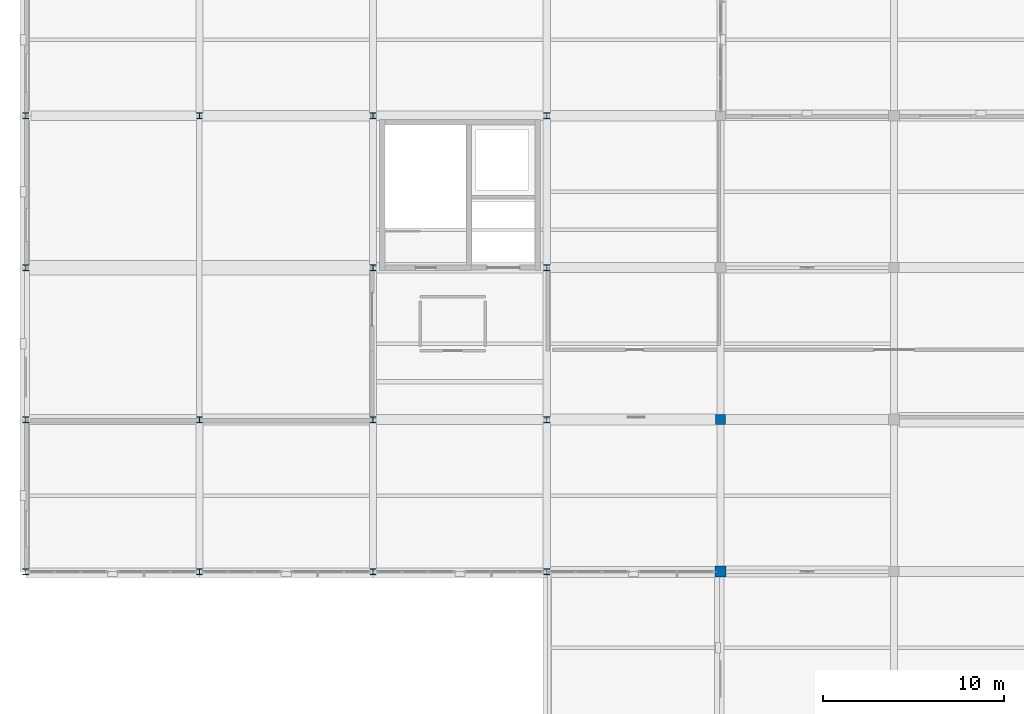
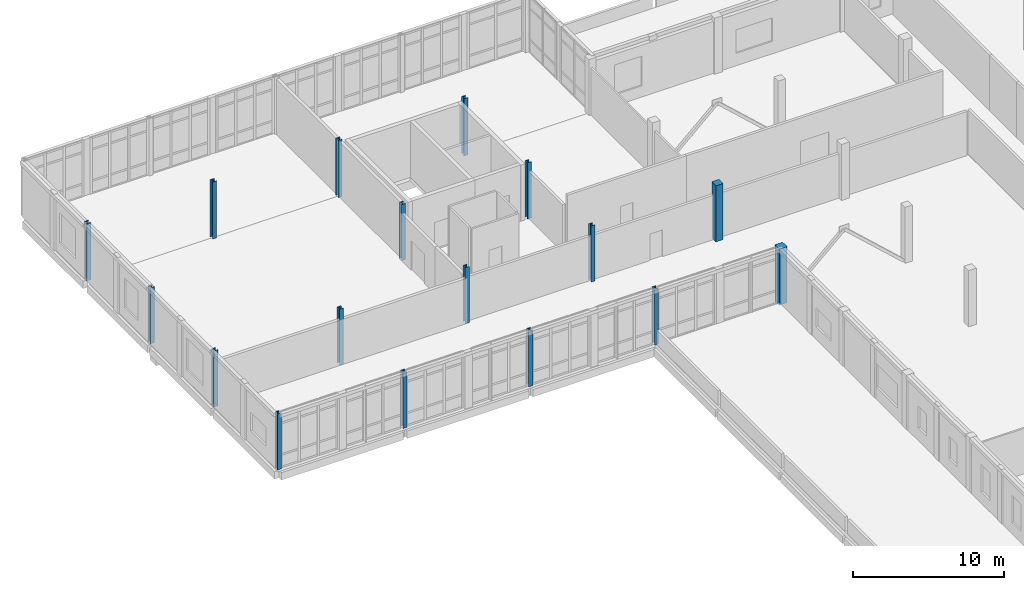
# One storey, part 3 of 88: 17 columns.
"""IFC4 building model written with IfcOpenShell, lengths in metres."""

from ifc_helpers import new_model, si_unit, direction, frame, origin, origin_2d, place, context, subcontext, project, spatial, rectangle, i_section, extrude, material, material_profile, profile_set, type_object, element, save


model = new_model("IFC4")

# Units and contexts
model_context = context("Model", 3, precision=1e-05, world=origin(), true_north=direction((0.0, 1.0)))
body_context = subcontext(model_context, "Body", "Model", "MODEL_VIEW")
ifc_project = project(units=[si_unit("LENGTHUNIT", "METRE"), si_unit("AREAUNIT", "SQUARE_METRE"), si_unit("VOLUMEUNIT", "CUBIC_METRE"), si_unit("PLANEANGLEUNIT", "RADIAN"), si_unit("MASSUNIT", "GRAM", prefix="KILO")], contexts=[model_context])

# Site, building, storey
site_placement = place(None, origin())
site = spatial("IfcSite", under=ifc_project, at=site_placement, CompositionType="ELEMENT")
building_placement = place(site_placement, origin())
building = spatial("IfcBuilding", under=site, at=building_placement, Name="Lornevale Opera House", CompositionType="ELEMENT")
storey_placement = place(building_placement, frame((0.0, 0.0, 10.199951171875)))
storey = spatial("IfcBuildingStorey", under=building, at=storey_placement, Name="L03", CompositionType="ELEMENT", Elevation=10.199951171875)

# Columns
ifc_material_1 = material(Name="Concrete 35 MPa (CSA A23.1 N)", Category="concrete")
ifc_material_profile_1 = material_profile(ifc_material_1, rectangle(XDim=0.550048828125, YDim=0.550048828125, at=origin_2d()), Name="RC550x550")
ifc_profile_set_1 = profile_set([ifc_material_profile_1], Name="Concrete 35 MPa (CSA A23.1 N)")
column_type_1 = type_object("IfcColumnType", Name="Concrete Column 550x550", PredefinedType="COLUMN", material=ifc_profile_set_1)
column_1_placement = place(storey_placement, frame((38.39990234375, 75.60009765625, 0.0), z_axis=(0.0, 0.0, 1.0), x_axis=(1.0, 0.0, 0.0)))
element("IfcColumn", 1, at=column_1_placement, inside=storey, type_object=column_type_1, Name="Concrete Column 550x550 0264", PredefinedType="COLUMN", context=body_context, shape_type="SweptSolid", body=[
    extrude(rectangle(XDim=0.550048828125, YDim=0.550048828125, at=origin_2d()), origin(), (0.0, 0.0, 1.0), 4.530029296875),
])
ifc_material_profile_2 = material_profile(ifc_material_1, rectangle(XDim=0.60009765625, YDim=0.60009765625, at=origin_2d()), Name="RC600x600")
ifc_profile_set_2 = profile_set([ifc_material_profile_2], Name="Concrete 35 MPa (CSA A23.1 N)")
column_type_2 = type_object("IfcColumnType", Name="Concrete Column 600x600", PredefinedType="COLUMN", material=ifc_profile_set_2)
column_2_placement = place(storey_placement, frame((38.39990234375, 67.199951171875, 0.0), z_axis=(0.0, 0.0, 1.0), x_axis=(1.0, 0.0, 0.0)))
element("IfcColumn", 2, at=column_2_placement, inside=storey, type_object=column_type_2, Name="Concrete Column 600x600 0259", PredefinedType="COLUMN", context=body_context, shape_type="SweptSolid", body=[
    extrude(rectangle(XDim=0.60009765625, YDim=0.60009765625, at=origin_2d()), origin(), (0.0, 0.0, 1.0), 4.530029296875),
])
ifc_material_2 = material(Name="Structural Steel CSA G40.21 Grade 350W (350 MPa)", Category="steel")
ifc_material_profile_3 = material_profile(ifc_material_2, i_section(OverallWidth=0.30908203125, OverallDepth=0.322998046875, WebThickness=0.013916015625, FlangeThickness=0.02294921875, at=origin_2d()), Name="W310x143")
ifc_profile_set_3 = profile_set([ifc_material_profile_3], Name="Structural Steel CSA G40.21 Grade 350W (350 MPa)")
column_type_3 = type_object("IfcColumnType", Name="Steel Clerestory Post W310x143", PredefinedType="COLUMN", material=ifc_profile_set_3)
for number, where, z_axis, x_axis, name in (
    (3, (0.0, 67.199951171875, 0.0), (0.0, 0.0, 1.0), (1.0, 0.0, 0.0), "Steel Clerestory Post W310x143 0033"),
    (4, (0.0, 75.60009765625, 0.0), (0.0, 0.0, 1.0), (1.0, 0.0, 0.0), "Steel Clerestory Post W310x143 0038"),
    (5, (0.0, 84.0, 0.0), (0.0, 0.0, 1.0), (1.0, 0.0, 0.0), "Steel Clerestory Post W310x143 0043"),
):
    element("IfcColumn", number, at=place(storey_placement, frame(where, z_axis=z_axis, x_axis=x_axis)), inside=storey, type_object=column_type_3, Name=name, PredefinedType="COLUMN", context=body_context, shape_type="SweptSolid", body=[
        extrude(i_section(OverallWidth=0.30908203125, OverallDepth=0.322998046875, WebThickness=0.013916015625, FlangeThickness=0.02294921875, at=origin_2d()), origin(), (0.0, 0.0, 1.0), 4.530029296875),
    ])
column_3_placement = place(storey_placement, frame((0.0, 92.39990234375, 0.0), z_axis=(0.0, 0.0, 1.0), x_axis=(1.0, 0.0, 0.0)))
element("IfcColumn", 6, at=column_3_placement, inside=storey, type_object=column_type_3, Name="Steel Clerestory Post W310x143 0048", PredefinedType="COLUMN", context=body_context, shape_type="SweptSolid", body=[
    extrude(i_section(OverallWidth=0.30908203125, OverallDepth=0.322998046875, WebThickness=0.013916015625, FlangeThickness=0.02294921875, at=origin_2d()), origin(), (0.0, 0.0, 1.0), 4.6201171875),
])
for number, where, z_axis, x_axis, name in (
    (7, (9.60009765625, 67.199951171875, 0.0), (0.0, 0.0, 1.0), (1.0, 0.0, 0.0), "Steel Clerestory Post W310x143 0083"),
    (8, (9.60009765625, 75.60009765625, 0.0), (0.0, 0.0, 1.0), (1.0, 0.0, 0.0), "Steel Clerestory Post W310x143 0088"),
):
    element("IfcColumn", number, at=place(storey_placement, frame(where, z_axis=z_axis, x_axis=x_axis)), inside=storey, type_object=column_type_3, Name=name, PredefinedType="COLUMN", context=body_context, shape_type="SweptSolid", body=[
        extrude(i_section(OverallWidth=0.30908203125, OverallDepth=0.322998046875, WebThickness=0.013916015625, FlangeThickness=0.02294921875, at=origin_2d()), origin(), (0.0, 0.0, 1.0), 4.530029296875),
    ])
column_4_placement = place(storey_placement, frame((9.60009765625, 92.39990234375, 0.0), z_axis=(0.0, 0.0, 1.0), x_axis=(1.0, 0.0, 0.0)))
element("IfcColumn", 9, at=column_4_placement, inside=storey, type_object=column_type_3, Name="Steel Clerestory Post W310x143 0095", PredefinedType="COLUMN", context=body_context, shape_type="SweptSolid", body=[
    extrude(i_section(OverallWidth=0.30908203125, OverallDepth=0.322998046875, WebThickness=0.013916015625, FlangeThickness=0.02294921875, at=origin_2d()), origin(), (0.0, 0.0, 1.0), 4.6201171875),
])
for number, where, z_axis, x_axis, name in (
    (10, (19.199951171875, 67.199951171875, 0.0), (0.0, 0.0, 1.0), (1.0, 0.0, 0.0), "Steel Clerestory Post W310x143 0133"),
    (11, (19.199951171875, 75.60009765625, 0.0), (0.0, 0.0, 1.0), (1.0, 0.0, 0.0), "Steel Clerestory Post W310x143 0138"),
    (12, (19.199951171875, 84.0, 0.0), (0.0, 0.0, 1.0), (1.0, 0.0, 0.0), "Steel Clerestory Post W310x143 0143"),
):
    element("IfcColumn", number, at=place(storey_placement, frame(where, z_axis=z_axis, x_axis=x_axis)), inside=storey, type_object=column_type_3, Name=name, PredefinedType="COLUMN", context=body_context, shape_type="SweptSolid", body=[
        extrude(i_section(OverallWidth=0.30908203125, OverallDepth=0.322998046875, WebThickness=0.013916015625, FlangeThickness=0.02294921875, at=origin_2d()), origin(), (0.0, 0.0, 1.0), 4.530029296875),
    ])
column_5_placement = place(storey_placement, frame((19.199951171875, 92.39990234375, 0.0), z_axis=(0.0, 0.0, 1.0), x_axis=(1.0, 0.0, 0.0)))
element("IfcColumn", 13, at=column_5_placement, inside=storey, type_object=column_type_3, Name="Steel Clerestory Post W310x143 0148", PredefinedType="COLUMN", context=body_context, shape_type="SweptSolid", body=[
    extrude(i_section(OverallWidth=0.30908203125, OverallDepth=0.322998046875, WebThickness=0.013916015625, FlangeThickness=0.02294921875, at=origin_2d()), origin(), (0.0, 0.0, 1.0), 4.6201171875),
])
for number, where, z_axis, x_axis, name in (
    (14, (28.800048828125, 67.199951171875, 0.0), (0.0, 0.0, 1.0), (1.0, 0.0, 0.0), "Steel Clerestory Post W310x143 0194"),
    (15, (28.800048828125, 75.60009765625, 0.0), (0.0, 0.0, 1.0), (1.0, 0.0, 0.0), "Steel Clerestory Post W310x143 0199"),
    (16, (28.800048828125, 84.0, 0.0), (0.0, 0.0, 1.0), (1.0, 0.0, 0.0), "Steel Clerestory Post W310x143 0204"),
):
    element("IfcColumn", number, at=place(storey_placement, frame(where, z_axis=z_axis, x_axis=x_axis)), inside=storey, type_object=column_type_3, Name=name, PredefinedType="COLUMN", context=body_context, shape_type="SweptSolid", body=[
        extrude(i_section(OverallWidth=0.30908203125, OverallDepth=0.322998046875, WebThickness=0.013916015625, FlangeThickness=0.02294921875, at=origin_2d()), origin(), (0.0, 0.0, 1.0), 4.530029296875),
    ])
column_6_placement = place(storey_placement, frame((28.800048828125, 92.39990234375, 0.0), z_axis=(0.0, 0.0, 1.0), x_axis=(1.0, 0.0, 0.0)))
element("IfcColumn", 17, at=column_6_placement, inside=storey, type_object=column_type_3, Name="Steel Clerestory Post W310x143 0209", PredefinedType="COLUMN", context=body_context, shape_type="SweptSolid", body=[
    extrude(i_section(OverallWidth=0.30908203125, OverallDepth=0.322998046875, WebThickness=0.013916015625, FlangeThickness=0.02294921875, at=origin_2d()), origin(), (0.0, 0.0, 1.0), 4.6201171875),
])

save(model, "model.ifc")
